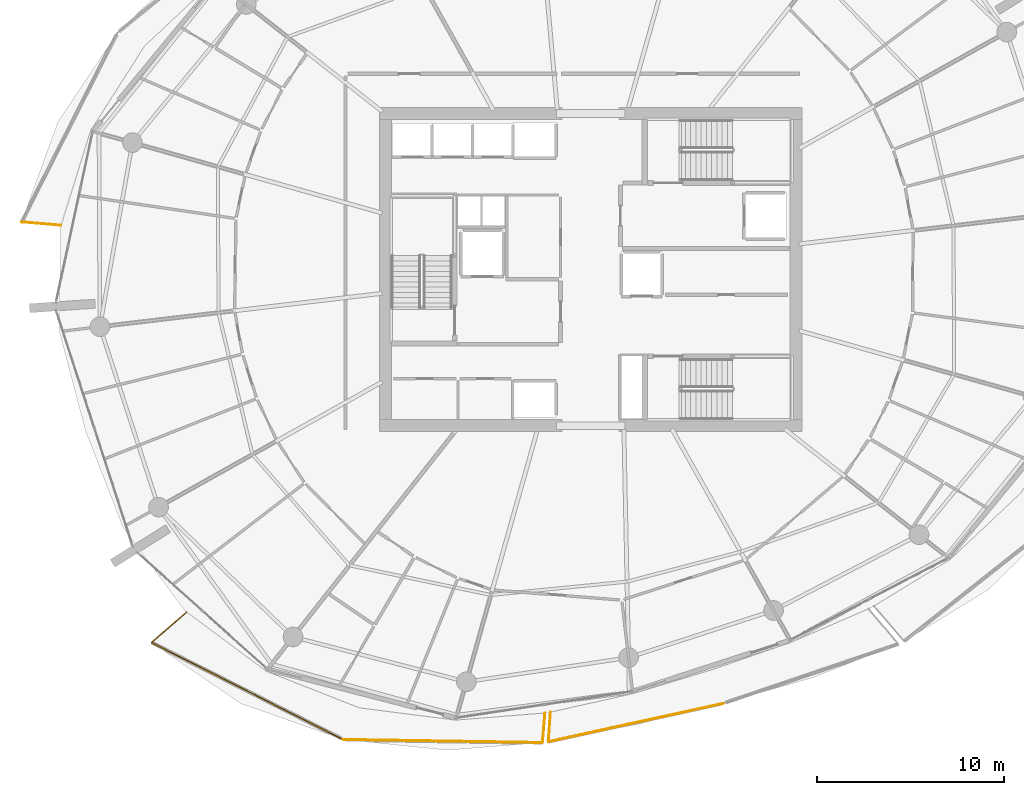
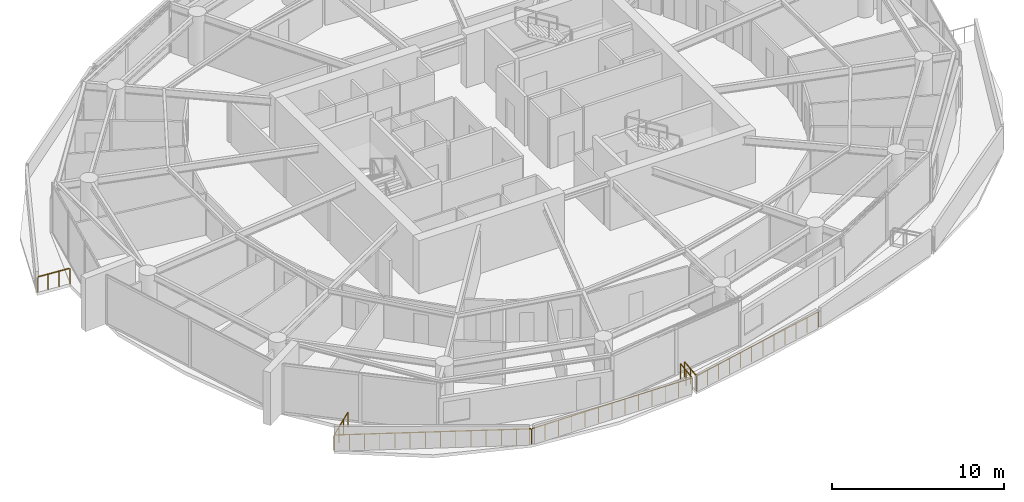
# One storey, part 16 of 20: 7 railings.
"""IFC4 building model written with IfcOpenShell, lengths in metres."""

from ifc_helpers import new_model, si_unit, direction, frame, origin, origin_2d, place, context, subcontext, project, spatial, rectangle, extrude, material, type_object, element, save


model = new_model("IFC4")

# Units and contexts
model_context = context("Model", 3, precision=1e-05, world=origin(), true_north=direction((0.0, 1.0)))
body_context = subcontext(model_context, "Body", "Model", "MODEL_VIEW")
ifc_project = project(units=[si_unit("LENGTHUNIT", "METRE"), si_unit("AREAUNIT", "SQUARE_METRE"), si_unit("VOLUMEUNIT", "CUBIC_METRE"), si_unit("PLANEANGLEUNIT", "RADIAN"), si_unit("MASSUNIT", "GRAM", prefix="KILO")], contexts=[model_context])

# Site, building, storey
site_placement = place(None, origin())
site = spatial("IfcSite", under=ifc_project, at=site_placement, CompositionType="ELEMENT")
building_placement = place(site_placement, origin())
building = spatial("IfcBuilding", under=site, at=building_placement, Name="Kazma Halo Residences", CompositionType="ELEMENT")
storey_placement = place(building_placement, frame((0.0, 0.0, 217.800048828125)))
storey = spatial("IfcBuildingStorey", under=building, at=storey_placement, Name="L55", CompositionType="ELEMENT", Elevation=217.800048828125)

# Railings
ifc_material = material(Name="Aluminium AW-6063 T6 Brushed Cap Rail", Category="aluminium")
railing_type = type_object("IfcRailingType", Name="RLG-BAL-CAP-1120", PredefinedType="BALUSTRADE", material=ifc_material)
railing_1_placement = place(storey_placement, frame((18.063720703125, 44.5400390625, 0.0)))
element("IfcRailing", 1, at=railing_1_placement, inside=storey, type_object=railing_type, Name="L55 NW wave balcony guard 4", PredefinedType="BALUSTRADE", context=body_context, shape_type="SweptSolid", body=[
    extrude(rectangle(XDim=0.050048828125, YDim=0.050048828125, at=origin_2d()), frame((0.04248046875, -0.003662109375, 1.09521484375), z_axis=(0.996425003257, -0.084482026989, 0.0), x_axis=(0.084482026989, 0.996425003257, 0.0)), (0.0, 0.0, 1.0), 2.0244140625),
    extrude(rectangle(XDim=0.0400390625, YDim=0.0400390625, at=origin_2d()), origin(), (0.0, 0.0, 1.0), 1.05810546875),
    extrude(rectangle(XDim=0.0400390625, YDim=0.0400390625, at=origin_2d()), frame((0.70068359375, -0.059326171875, 0.0)), (0.0, 0.0, 1.0), 1.05810546875),
    extrude(rectangle(XDim=0.0400390625, YDim=0.0400390625, at=origin_2d()), frame((1.4013671875, -0.118896484375, 0.0)), (0.0, 0.0, 1.0), 1.05810546875),
    extrude(rectangle(XDim=0.0400390625, YDim=0.0400390625, at=origin_2d()), frame((2.10205078125, -0.17822265625, 0.0)), (0.0, 0.0, 1.0), 1.05810546875),
])
railing_2_placement = place(storey_placement, frame((26.869873046875, 23.728759765625, 0.0)))
element("IfcRailing", 2, at=railing_2_placement, inside=storey, type_object=railing_type, Name="L55 SW wave balcony guard 1", PredefinedType="BALUSTRADE", context=body_context, shape_type="SweptSolid", body=[
    extrude(rectangle(XDim=0.050048828125, YDim=0.050048828125, at=origin_2d()), frame((-0.0322265625, -0.02783203125, 1.09521484375), z_axis=(-0.756442152352, -0.654060601279, 0.0), x_axis=(0.654060601279, -0.756442152352, 0.0)), (0.0, 0.0, 1.0), 2.39501953125),
    extrude(rectangle(XDim=0.0400390625, YDim=0.0400390625, at=origin_2d()), origin(), (0.0, 0.0, 1.0), 1.05810546875),
    extrude(rectangle(XDim=0.0400390625, YDim=0.0400390625, at=origin_2d()), frame((-0.625244140625, -0.540771484375, 0.0)), (0.0, 0.0, 1.0), 1.05810546875),
    extrude(rectangle(XDim=0.0400390625, YDim=0.0400390625, at=origin_2d()), frame((-1.250732421875, -1.081298828125, 0.0)), (0.0, 0.0, 1.0), 1.05810546875),
    extrude(rectangle(XDim=0.0400390625, YDim=0.0400390625, at=origin_2d()), frame((-1.8759765625, -1.6220703125, 0.0)), (0.0, 0.0, 1.0), 1.05810546875),
])
railing_3_placement = place(storey_placement, frame((24.993896484375, 22.106689453125, 0.0)))
element("IfcRailing", 3, at=railing_3_placement, inside=storey, type_object=railing_type, Name="L55 SW wave balcony guard 2", PredefinedType="BALUSTRADE", context=body_context, shape_type="SweptSolid", body=[
    extrude(rectangle(XDim=0.050048828125, YDim=0.050048828125, at=origin_2d()), frame((0.037841796875, -0.019287109375, 1.09521484375), z_axis=(0.892128917732, -0.451780913879, 0.0), x_axis=(0.451780913879, 0.892128917732, 0.0)), (0.0, 0.0, 1.0), 11.382080078125),
    extrude(rectangle(XDim=0.0400390625, YDim=0.0400390625, at=origin_2d()), origin(), (0.0, 0.0, 1.0), 1.05810546875),
    extrude(rectangle(XDim=0.0400390625, YDim=0.0400390625, at=origin_2d()), frame((0.786865234375, -0.3984375, 0.0)), (0.0, 0.0, 1.0), 1.05810546875),
    extrude(rectangle(XDim=0.0400390625, YDim=0.0400390625, at=origin_2d()), frame((1.573974609375, -0.797119140625, 0.0)), (0.0, 0.0, 1.0), 1.05810546875),
    extrude(rectangle(XDim=0.0400390625, YDim=0.0400390625, at=origin_2d()), frame((2.36083984375, -1.195556640625, 0.0)), (0.0, 0.0, 1.0), 1.05810546875),
    extrude(rectangle(XDim=0.0400390625, YDim=0.0400390625, at=origin_2d()), frame((3.147705078125, -1.593994140625, 0.0)), (0.0, 0.0, 1.0), 1.05810546875),
    extrude(rectangle(XDim=0.0400390625, YDim=0.0400390625, at=origin_2d()), frame((3.934814453125, -1.99267578125, 0.0)), (0.0, 0.0, 1.0), 1.05810546875),
    extrude(rectangle(XDim=0.0400390625, YDim=0.0400390625, at=origin_2d()), frame((4.7216796875, -2.39111328125, 0.0)), (0.0, 0.0, 1.0), 1.05810546875),
    extrude(rectangle(XDim=0.0400390625, YDim=0.0400390625, at=origin_2d()), frame((5.508544921875, -2.78955078125, 0.0)), (0.0, 0.0, 1.0), 1.05810546875),
    extrude(rectangle(XDim=0.0400390625, YDim=0.0400390625, at=origin_2d()), frame((6.29541015625, -3.18798828125, 0.0)), (0.0, 0.0, 1.0), 1.05810546875),
    extrude(rectangle(XDim=0.0400390625, YDim=0.0400390625, at=origin_2d()), frame((7.08251953125, -3.586669921875, 0.0)), (0.0, 0.0, 1.0), 1.05810546875),
    extrude(rectangle(XDim=0.0400390625, YDim=0.0400390625, at=origin_2d()), frame((7.869384765625, -3.985107421875, 0.0)), (0.0, 0.0, 1.0), 1.05810546875),
    extrude(rectangle(XDim=0.0400390625, YDim=0.0400390625, at=origin_2d()), frame((8.65625, -4.383544921875, 0.0)), (0.0, 0.0, 1.0), 1.05810546875),
    extrude(rectangle(XDim=0.0400390625, YDim=0.0400390625, at=origin_2d()), frame((9.443359375, -4.7822265625, 0.0)), (0.0, 0.0, 1.0), 1.05810546875),
    extrude(rectangle(XDim=0.0400390625, YDim=0.0400390625, at=origin_2d()), frame((10.230224609375, -5.1806640625, 0.0)), (0.0, 0.0, 1.0), 1.05810546875),
])
railing_4_placement = place(storey_placement, frame((35.22412109375, 16.926025390625, 0.0)))
element("IfcRailing", 4, at=railing_4_placement, inside=storey, type_object=railing_type, Name="L55 SW wave balcony guard 3", PredefinedType="BALUSTRADE", context=body_context, shape_type="SweptSolid", body=[
    extrude(rectangle(XDim=0.050048828125, YDim=0.050048828125, at=origin_2d()), frame((0.04248046875, -0.000732421875, 1.09521484375), z_axis=(0.999878880346, -0.015563567677, 0.0), x_axis=(0.015563567677, 0.999878880346, 0.0)), (0.0, 0.0, 1.0), 10.550537109375),
    extrude(rectangle(XDim=0.0400390625, YDim=0.0400390625, at=origin_2d()), origin(), (0.0, 0.0, 1.0), 1.05810546875),
    extrude(rectangle(XDim=0.0400390625, YDim=0.0400390625, at=origin_2d()), frame((0.88623046875, -0.013671875, 0.0)), (0.0, 0.0, 1.0), 1.05810546875),
    extrude(rectangle(XDim=0.0400390625, YDim=0.0400390625, at=origin_2d()), frame((1.7724609375, -0.027587890625, 0.0)), (0.0, 0.0, 1.0), 1.05810546875),
    extrude(rectangle(XDim=0.0400390625, YDim=0.0400390625, at=origin_2d()), frame((2.65869140625, -0.04150390625, 0.0)), (0.0, 0.0, 1.0), 1.05810546875),
    extrude(rectangle(XDim=0.0400390625, YDim=0.0400390625, at=origin_2d()), frame((3.544677734375, -0.05517578125, 0.0)), (0.0, 0.0, 1.0), 1.05810546875),
    extrude(rectangle(XDim=0.0400390625, YDim=0.0400390625, at=origin_2d()), frame((4.430908203125, -0.06884765625, 0.0)), (0.0, 0.0, 1.0), 1.05810546875),
    extrude(rectangle(XDim=0.0400390625, YDim=0.0400390625, at=origin_2d()), frame((5.317138671875, -0.082763671875, 0.0)), (0.0, 0.0, 1.0), 1.05810546875),
    extrude(rectangle(XDim=0.0400390625, YDim=0.0400390625, at=origin_2d()), frame((6.203369140625, -0.0966796875, 0.0)), (0.0, 0.0, 1.0), 1.05810546875),
    extrude(rectangle(XDim=0.0400390625, YDim=0.0400390625, at=origin_2d()), frame((7.089599609375, -0.1103515625, 0.0)), (0.0, 0.0, 1.0), 1.05810546875),
    extrude(rectangle(XDim=0.0400390625, YDim=0.0400390625, at=origin_2d()), frame((7.9755859375, -0.1240234375, 0.0)), (0.0, 0.0, 1.0), 1.05810546875),
    extrude(rectangle(XDim=0.0400390625, YDim=0.0400390625, at=origin_2d()), frame((8.86181640625, -0.137939453125, 0.0)), (0.0, 0.0, 1.0), 1.05810546875),
    extrude(rectangle(XDim=0.0400390625, YDim=0.0400390625, at=origin_2d()), frame((9.748046875, -0.15185546875, 0.0)), (0.0, 0.0, 1.0), 1.05810546875),
    extrude(rectangle(XDim=0.0400390625, YDim=0.0400390625, at=origin_2d()), frame((10.63427734375, -0.16552734375, 0.0)), (0.0, 0.0, 1.0), 1.05810546875),
])
railing_5_placement = place(storey_placement, frame((45.8583984375, 16.760498046875, 0.0)))
element("IfcRailing", 5, at=railing_5_placement, inside=storey, type_object=railing_type, Name="L55 SW wave balcony guard 4", PredefinedType="BALUSTRADE", context=body_context, shape_type="SweptSolid", body=[
    extrude(rectangle(XDim=0.050048828125, YDim=0.050048828125, at=origin_2d()), frame((0.003662109375, 0.04248046875, 1.09521484375), z_axis=(0.084647309245, 0.996410975972, 0.0), x_axis=(-0.996410975972, 0.084647309245, 0.0)), (0.0, 0.0, 1.0), 1.504150390625),
    extrude(rectangle(XDim=0.0400390625, YDim=0.0400390625, at=origin_2d()), origin(), (0.0, 0.0, 1.0), 1.05810546875),
    extrude(rectangle(XDim=0.0400390625, YDim=0.0400390625, at=origin_2d()), frame((0.0673828125, 0.791748046875, 0.0)), (0.0, 0.0, 1.0), 1.05810546875),
    extrude(rectangle(XDim=0.0400390625, YDim=0.0400390625, at=origin_2d()), frame((0.134521484375, 1.58349609375, 0.0)), (0.0, 0.0, 1.0), 1.05810546875),
])
railing_6_placement = place(storey_placement, frame((46.286865234375, 18.387939453125, 0.0)))
element("IfcRailing", 6, at=railing_6_placement, inside=storey, type_object=railing_type, Name="L55 SSE wave balcony guard 1", PredefinedType="BALUSTRADE", context=body_context, shape_type="SweptSolid", body=[
    extrude(rectangle(XDim=0.050048828125, YDim=0.050048828125, at=origin_2d()), frame((-0.003173828125, -0.04248046875, 1.09521484375), z_axis=(-0.07240752413, -0.997375130254, 0.0), x_axis=(0.997375130254, -0.07240752413, 0.0)), (0.0, 0.0, 1.0), 1.499755859375),
    extrude(rectangle(XDim=0.0400390625, YDim=0.0400390625, at=origin_2d()), origin(), (0.0, 0.0, 1.0), 1.05810546875),
    extrude(rectangle(XDim=0.0400390625, YDim=0.0400390625, at=origin_2d()), frame((-0.057373046875, -0.790283203125, 0.0)), (0.0, 0.0, 1.0), 1.05810546875),
    extrude(rectangle(XDim=0.0400390625, YDim=0.0400390625, at=origin_2d()), frame((-0.11474609375, -1.58056640625, 0.0)), (0.0, 0.0, 1.0), 1.05810546875),
])
railing_7_placement = place(storey_placement, frame((46.172119140625, 16.807373046875, 0.0)))
element("IfcRailing", 7, at=railing_7_placement, inside=storey, type_object=railing_type, Name="L55 SSE wave balcony guard 2", PredefinedType="BALUSTRADE", context=body_context, shape_type="SweptSolid", body=[
    extrude(rectangle(XDim=0.050048828125, YDim=0.050048828125, at=origin_2d()), frame((0.04150390625, 0.009033203125, 1.09521484375), z_axis=(0.976835730847, 0.213990548716, 0.0), x_axis=(-0.213990548716, 0.976835730847, 0.0)), (0.0, 0.0, 1.0), 9.484619140625),
    extrude(rectangle(XDim=0.0400390625, YDim=0.0400390625, at=origin_2d()), origin(), (0.0, 0.0, 1.0), 1.05810546875),
    extrude(rectangle(XDim=0.0400390625, YDim=0.0400390625, at=origin_2d()), frame((0.849853515625, 0.186279296875, 0.0)), (0.0, 0.0, 1.0), 1.05810546875),
    extrude(rectangle(XDim=0.0400390625, YDim=0.0400390625, at=origin_2d()), frame((1.69970703125, 0.372314453125, 0.0)), (0.0, 0.0, 1.0), 1.05810546875),
    extrude(rectangle(XDim=0.0400390625, YDim=0.0400390625, at=origin_2d()), frame((2.549560546875, 0.55859375, 0.0)), (0.0, 0.0, 1.0), 1.05810546875),
    extrude(rectangle(XDim=0.0400390625, YDim=0.0400390625, at=origin_2d()), frame((3.3994140625, 0.74462890625, 0.0)), (0.0, 0.0, 1.0), 1.05810546875),
    extrude(rectangle(XDim=0.0400390625, YDim=0.0400390625, at=origin_2d()), frame((4.249267578125, 0.930908203125, 0.0)), (0.0, 0.0, 1.0), 1.05810546875),
    extrude(rectangle(XDim=0.0400390625, YDim=0.0400390625, at=origin_2d()), frame((5.098876953125, 1.116943359375, 0.0)), (0.0, 0.0, 1.0), 1.05810546875),
    extrude(rectangle(XDim=0.0400390625, YDim=0.0400390625, at=origin_2d()), frame((5.94873046875, 1.30322265625, 0.0)), (0.0, 0.0, 1.0), 1.05810546875),
    extrude(rectangle(XDim=0.0400390625, YDim=0.0400390625, at=origin_2d()), frame((6.798583984375, 1.4892578125, 0.0)), (0.0, 0.0, 1.0), 1.05810546875),
    extrude(rectangle(XDim=0.0400390625, YDim=0.0400390625, at=origin_2d()), frame((7.6484375, 1.675537109375, 0.0)), (0.0, 0.0, 1.0), 1.05810546875),
    extrude(rectangle(XDim=0.0400390625, YDim=0.0400390625, at=origin_2d()), frame((8.498291015625, 1.861572265625, 0.0)), (0.0, 0.0, 1.0), 1.05810546875),
    extrude(rectangle(XDim=0.0400390625, YDim=0.0400390625, at=origin_2d()), frame((9.34814453125, 2.0478515625, 0.0)), (0.0, 0.0, 1.0), 1.05810546875),
])

save(model, "model.ifc")
